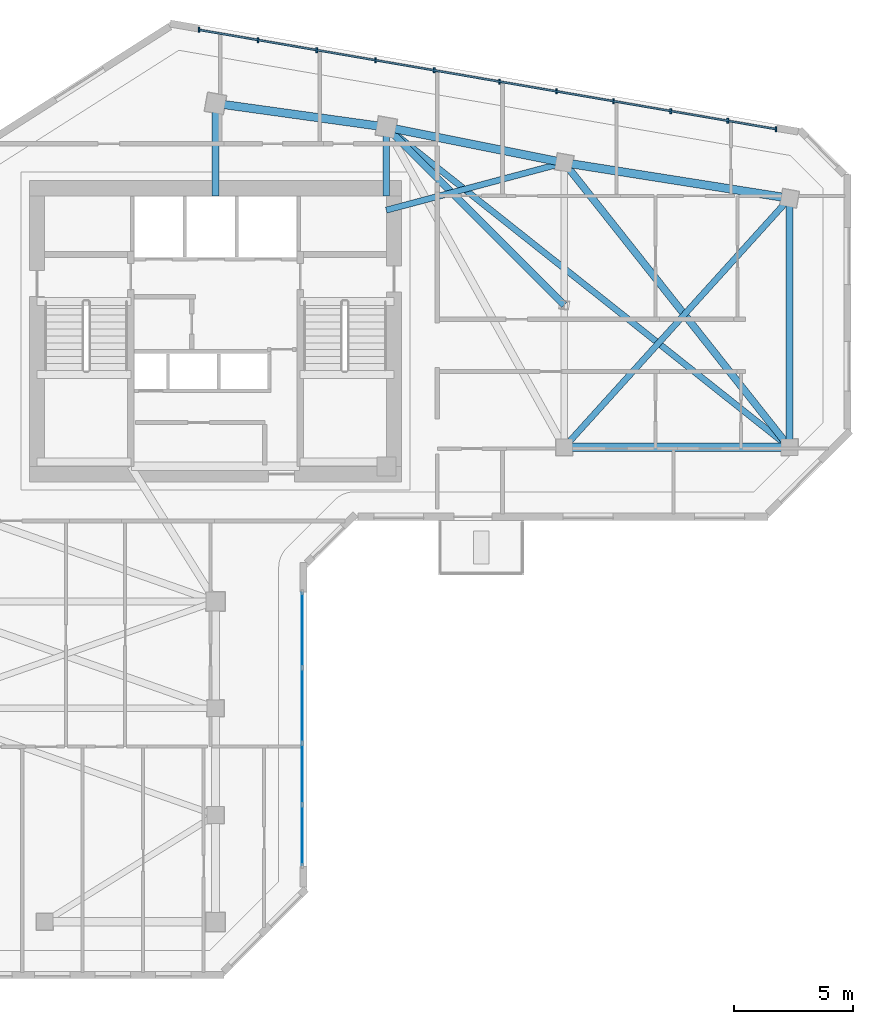
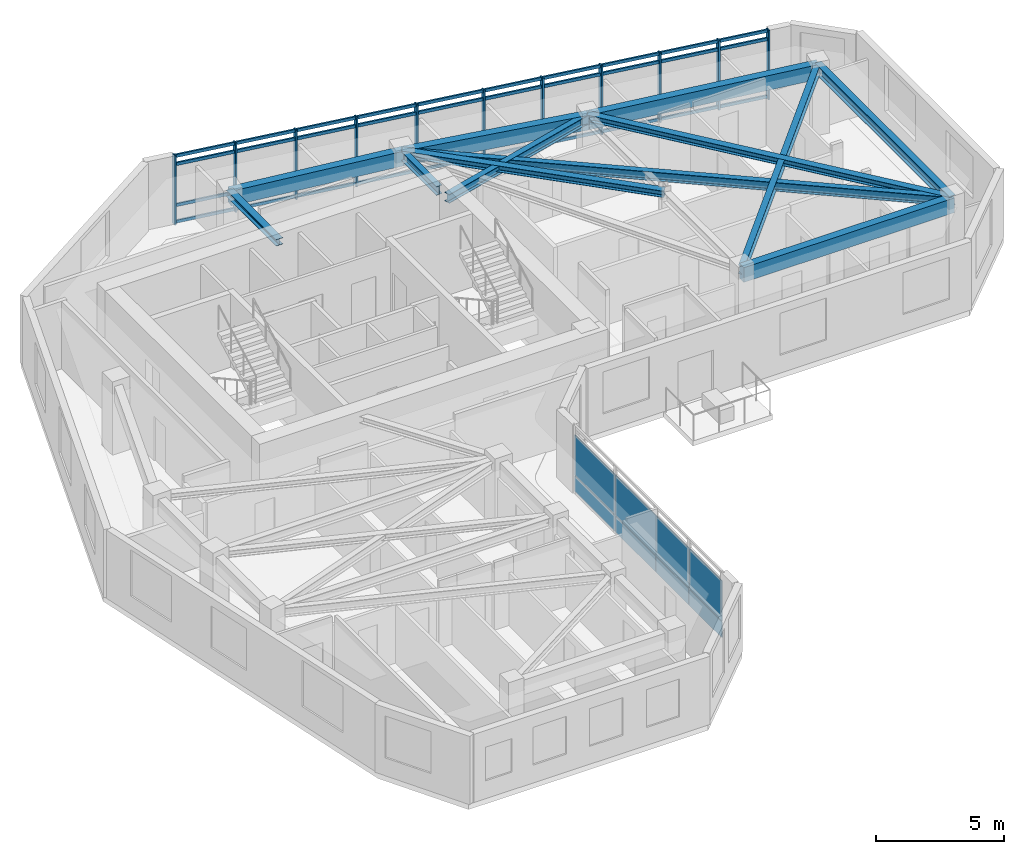
# One storey, part 3 of 11: 15 members, 12 beams, 8 plates, 2 elements without a shape of their own.
"""IFC4 building model written with IfcOpenShell, lengths in metres."""

from ifc_helpers import new_model, si_unit, direction, frame, frame_2d, origin, origin_2d, place, context, subcontext, project, spatial, rectangle, i_section, extrude, source, transform, mapped, material, layer, layer_set, material_profile, profile_set, type_object, element, aggregate, save


model = new_model("IFC4")

# Units and contexts
model_context = context("Model", 3, precision=1e-05, world=origin(), true_north=direction((0.0, 1.0)))
body_context = subcontext(model_context, "Body", "Model", "MODEL_VIEW")
ifc_project = project(units=[si_unit("LENGTHUNIT", "METRE"), si_unit("AREAUNIT", "SQUARE_METRE"), si_unit("VOLUMEUNIT", "CUBIC_METRE"), si_unit("PLANEANGLEUNIT", "RADIAN"), si_unit("MASSUNIT", "GRAM", prefix="KILO")], contexts=[model_context])

# Site, building, storey
site_placement = place(None, origin())
site = spatial("IfcSite", under=ifc_project, at=site_placement, CompositionType="ELEMENT")
building_placement = place(site_placement, origin())
building = spatial("IfcBuilding", under=site, at=building_placement, Name="Calvemar Wedge Station Tower", CompositionType="ELEMENT")
storey_placement = place(building_placement, frame((0.0, 0.0, 190.39990234375)))
storey = spatial("IfcBuildingStorey", under=building, at=storey_placement, Name="L47", CompositionType="ELEMENT", Elevation=190.39990234375)

# Beams
ifc_material_1 = material(Name="Structural steel ASTM A572 Grade 50", Category="steel")
ifc_material_profile_1 = material_profile(ifc_material_1, i_section(OverallWidth=0.260986328125, OverallDepth=0.419921875, WebThickness=0.01171875, FlangeThickness=0.019287109375, FilletRadius=0.012939453125, at=origin_2d()), Name="W410x114")
ifc_profile_set_1 = profile_set([ifc_material_profile_1], Name="Structural steel ASTM A572 Grade 50")
beam_type_1 = type_object("IfcBeamType", Name="BM-J2-W410H", PredefinedType="JOIST", material=ifc_profile_set_1)
shared_shape_1 = source(origin(), body_context, "Body", "SweptSolid", [
    extrude(i_section(OverallWidth=0.260986328125, OverallDepth=0.419921875, WebThickness=0.01171875, FlangeThickness=0.019287109375, FilletRadius=0.012939453125, at=origin_2d()), origin(), (0.0, 0.0, 1.0), 21.708251953125),
])
beam_1_placement = place(storey_placement, frame((31.0, 48.5, 3.0400390625), z_axis=(0.783110847498, -0.621882143602, 0.0), x_axis=(0.621882143602, 0.783110847498, 0.0)))
element("IfcBeam", 1, at=beam_1_placement, inside=storey, type_object=beam_type_1, Name="Storey L47 Floor Beam T-N2-T-NL3", PredefinedType="JOIST", context=body_context, shape_type="MappedRepresentation", body=[
    mapped(shared_shape_1, transform((0.0, 0.0, 0.0), scale=1.0)),
])
ifc_material_profile_2 = material_profile(ifc_material_1, i_section(OverallWidth=0.304931640625, OverallDepth=0.30810546875, WebThickness=0.010009765625, FlangeThickness=0.015380859375, FilletRadius=0.014892578125, at=origin_2d()), Name="W310x97")
ifc_profile_set_2 = profile_set([ifc_material_profile_2], Name="Structural steel ASTM A572 Grade 50")
beam_type_2 = type_object("IfcBeamType", Name="BM-J6-W310", PredefinedType="JOIST", material=ifc_profile_set_2)
shared_shape_2 = source(origin(), body_context, "Body", "SweptSolid", [
    extrude(i_section(OverallWidth=0.304931640625, OverallDepth=0.30810546875, WebThickness=0.010009765625, FlangeThickness=0.015380859375, FilletRadius=0.014892578125, at=origin_2d()), origin(), (0.0, 0.0, 1.0), 15.30517578125),
])
beam_2_placement = place(storey_placement, frame((38.5, 47.0, 3.09619140625), z_axis=(0.620702944366, -0.784045824462, 0.0), x_axis=(0.784045824462, 0.620702944366, 0.0)))
element("IfcBeam", 2, at=beam_2_placement, inside=storey, type_object=beam_type_2, Name="Storey L47 Floor Beam T-NU3-T-NL3", PredefinedType="JOIST", context=body_context, shape_type="MappedRepresentation", body=[
    mapped(shared_shape_2, transform((0.0, 0.0, 0.0), scale=1.0)),
])
shared_shape_3 = source(origin(), body_context, "Body", "SweptSolid", [
    extrude(i_section(OverallWidth=0.260986328125, OverallDepth=0.419921875, WebThickness=0.01171875, FlangeThickness=0.019287109375, FilletRadius=0.012939453125, at=origin_2d()), origin(), (0.0, 0.0, 1.0), 14.159912109375),
])
beam_3_placement = place(storey_placement, frame((38.5, 35.0, 3.0400390625), z_axis=(0.670913323969, 0.741535779124, 0.0), x_axis=(-0.741535779124, 0.670913323969, 0.0)))
element("IfcBeam", 3, at=beam_3_placement, inside=storey, type_object=beam_type_1, Name="Storey L47 Floor Beam T-NL2-T-NU4", PredefinedType="JOIST", context=body_context, shape_type="MappedRepresentation", body=[
    mapped(shared_shape_3, transform((0.0, 0.0, 0.0), scale=1.0)),
])
shared_shape_4 = source(origin(), body_context, "Body", "SweptSolid", [
    extrude(i_section(OverallWidth=0.260986328125, OverallDepth=0.419921875, WebThickness=0.01171875, FlangeThickness=0.019287109375, FilletRadius=0.012939453125, at=origin_2d()), origin(), (0.0, 0.0, 1.0), 7.76220703125),
])
beam_4_placement = place(storey_placement, frame((31.0, 45.0, 3.0400390625), z_axis=(0.966234939601, 0.25766265056, 0.0), x_axis=(-0.25766265056, 0.966234939601, 0.0)))
element("IfcBeam", 4, at=beam_4_placement, inside=storey, type_object=beam_type_1, Name="Storey L47 Core-to-Column Joist CJ-E2", PredefinedType="JOIST", context=body_context, shape_type="MappedRepresentation", body=[
    mapped(shared_shape_4, transform((0.0, 0.0, 0.0), scale=1.0)),
])
shared_shape_5 = source(origin(), body_context, "Body", "SweptSolid", [
    extrude(i_section(OverallWidth=0.304931640625, OverallDepth=0.30810546875, WebThickness=0.010009765625, FlangeThickness=0.015380859375, FilletRadius=0.014892578125, at=origin_2d()), origin(), (0.0, 0.0, 1.0), 3.89990234375),
])
beam_5_placement = place(storey_placement, frame((23.800048828125, 45.60009765625, 3.09619140625), z_axis=(0.0, 1.0, 0.0), x_axis=(-1.0, 0.0, 0.0)))
element("IfcBeam", 5, at=beam_5_placement, inside=storey, type_object=beam_type_2, Name="Storey L47 Core-to-Column Joist CJ-N1", PredefinedType="JOIST", context=body_context, shape_type="MappedRepresentation", body=[
    mapped(shared_shape_5, transform((0.0, 0.0, 0.0), scale=1.0)),
])
shared_shape_6 = source(origin(), body_context, "Body", "SweptSolid", [
    extrude(i_section(OverallWidth=0.260986328125, OverallDepth=0.419921875, WebThickness=0.01171875, FlangeThickness=0.019287109375, FilletRadius=0.012939453125, at=origin_2d()), origin(), (0.0, 0.0, 1.0), 2.89990234375),
])
beam_6_placement = place(storey_placement, frame((31.0, 45.60009765625, 3.0400390625), z_axis=(0.0, 1.0, 0.0), x_axis=(-1.0, 0.0, 0.0)))
element("IfcBeam", 6, at=beam_6_placement, inside=storey, type_object=beam_type_1, Name="Storey L47 Core-to-Column Joist CJ-N2", PredefinedType="JOIST", context=body_context, shape_type="MappedRepresentation", body=[
    mapped(shared_shape_6, transform((0.0, 0.0, 0.0), scale=1.0)),
])
shared_shape_7 = source(origin(), body_context, "Body", "SweptSolid", [
    extrude(i_section(OverallWidth=0.304931640625, OverallDepth=0.30810546875, WebThickness=0.010009765625, FlangeThickness=0.015380859375, FilletRadius=0.014892578125, at=origin_2d()), origin(), (0.0, 0.0, 1.0), 10.606689453125),
])
beam_7_placement = place(storey_placement, frame((38.5, 41.0, 3.09619140625), z_axis=(-0.707106781187, 0.707106781187, 0.0), x_axis=(-0.707106781187, -0.707106781187, 0.0)))
element("IfcBeam", 7, at=beam_7_placement, inside=storey, type_object=beam_type_2, Name="Storey L47 Floor Beam T-NTIP-B-T-N2", PredefinedType="JOIST", context=body_context, shape_type="MappedRepresentation", body=[
    mapped(shared_shape_7, transform((0.0, 0.0, 0.0), scale=1.0)),
])
ifc_material_2 = material(Name="Concrete C50", Category="concrete")
ifc_material_profile_3 = material_profile(ifc_material_2, rectangle(XDim=0.35009765625, YDim=0.699951171875, at=origin_2d()), Name="RC350x700")
ifc_profile_set_3 = profile_set([ifc_material_profile_3], Name="Concrete C50")
beam_type_3 = type_object("IfcBeamType", Name="BM-SP2-700", PredefinedType="SPANDREL", material=ifc_profile_set_3)
shared_shape_8 = source(origin(), body_context, "Body", "SweptSolid", [
    extrude(rectangle(XDim=0.35009765625, YDim=0.699951171875, at=origin_2d()), origin(), (0.0, 0.0, 1.0), 7.26904296875),
])
beam_8_placement = place(storey_placement, frame((23.800048828125, 49.5, 2.900146484375), z_axis=(0.990492146053, -0.13756928657, 0.0), x_axis=(0.13756928657, 0.990492146053, 0.0)))
element("IfcBeam", 8, at=beam_8_placement, inside=storey, type_object=beam_type_3, Name="Storey L47 Spandrel T-N1-T-N2", PredefinedType="SPANDREL", context=body_context, shape_type="MappedRepresentation", body=[
    mapped(shared_shape_8, transform((0.0, 0.0, 0.0), scale=1.0)),
])
shared_shape_9 = source(origin(), body_context, "Body", "SweptSolid", [
    extrude(rectangle(XDim=0.35009765625, YDim=0.699951171875, at=origin_2d()), origin(), (0.0, 0.0, 1.0), 7.6484375),
])
beam_9_placement = place(storey_placement, frame((31.0, 48.5, 2.900146484375), z_axis=(0.980580675691, -0.196116135138, 0.0), x_axis=(0.196116135138, 0.980580675691, 0.0)))
element("IfcBeam", 9, at=beam_9_placement, inside=storey, type_object=beam_type_3, Name="Storey L47 Spandrel T-N2-T-NU3", PredefinedType="SPANDREL", context=body_context, shape_type="MappedRepresentation", body=[
    mapped(shared_shape_9, transform((0.0, 0.0, 0.0), scale=1.0)),
])
shared_shape_10 = source(origin(), body_context, "Body", "SweptSolid", [
    extrude(rectangle(XDim=0.35009765625, YDim=0.699951171875, at=origin_2d()), origin(), (0.0, 0.0, 1.0), 9.61767578125),
])
beam_10_placement = place(storey_placement, frame((38.5, 47.0, 2.900146484375), z_axis=(0.987762965329, -0.155962573473, 0.0), x_axis=(0.155962573473, 0.987762965329, 0.0)))
element("IfcBeam", 10, at=beam_10_placement, inside=storey, type_object=beam_type_3, Name="Storey L47 Spandrel T-NU3-T-NU4", PredefinedType="SPANDREL", context=body_context, shape_type="MappedRepresentation", body=[
    mapped(shared_shape_10, transform((0.0, 0.0, 0.0), scale=1.0)),
])
shared_shape_11 = source(origin(), body_context, "Body", "SweptSolid", [
    extrude(rectangle(XDim=0.35009765625, YDim=0.699951171875, at=origin_2d()), origin(), (0.0, 0.0, 1.0), 9.5),
])
beam_11_placement = place(storey_placement, frame((38.5, 35.0, 2.900146484375), z_axis=(1.0, 0.0, 0.0), x_axis=(0.0, 1.0, 0.0)))
element("IfcBeam", 11, at=beam_11_placement, inside=storey, type_object=beam_type_3, Name="Storey L47 Spandrel T-NL2-T-NL3", PredefinedType="SPANDREL", context=body_context, shape_type="MappedRepresentation", body=[
    mapped(shared_shape_11, transform((0.0, 0.0, 0.0), scale=1.0)),
])
ifc_material_profile_4 = material_profile(ifc_material_1, i_section(OverallWidth=0.283935546875, OverallDepth=0.47607421875, WebThickness=0.014892578125, FlangeThickness=0.02392578125, FilletRadius=0.014892578125, at=origin_2d()), Name="W460x158")
ifc_profile_set_4 = profile_set([ifc_material_profile_4], Name="Structural steel ASTM A572 Grade 50")
beam_type_4 = type_object("IfcBeamType", Name="BM-SB5-W460H", PredefinedType="BEAM", material=ifc_profile_set_4)
shared_shape_12 = source(origin(), body_context, "Body", "SweptSolid", [
    extrude(i_section(OverallWidth=0.283935546875, OverallDepth=0.47607421875, WebThickness=0.014892578125, FlangeThickness=0.02392578125, FilletRadius=0.014892578125, at=origin_2d()), origin(), (0.0, 0.0, 1.0), 10.5),
])
beam_12_placement = place(storey_placement, frame((48.0, 45.5, 3.01220703125), z_axis=(0.0, -1.0, 0.0), x_axis=(1.0, 0.0, 0.0)))
element("IfcBeam", 12, at=beam_12_placement, inside=storey, type_object=beam_type_4, Name="Storey L47 Floor Beam T-NU4-T-NL3", PredefinedType="BEAM", context=body_context, shape_type="MappedRepresentation", body=[
    mapped(shared_shape_12, transform((0.0, 0.0, 0.0), scale=1.0)),
])

# Curtain wall, members
ifc_material_3 = material(Name="Anodised aluminium 6063-T6", Category="aluminium")
curtain_wall_type = type_object("IfcCurtainWallType", Name="CW3", PredefinedType="NOTDEFINED", material=ifc_material_3)
curtain_wall_1_placement = place(storey_placement, origin())
curtain_wall_1 = element("IfcCurtainWall", 13, at=curtain_wall_1_placement, inside=storey, type_object=curtain_wall_type, Name="Storey L47 CW3 Recessed Unitised Curtain Wall 10", PredefinedType="NOTDEFINED")
ifc_material_profile_5 = material_profile(ifc_material_3, rectangle(XDim=0.074951171875, YDim=0.2099609375, at=origin_2d()), Name="AL-MUL-75x210")
ifc_profile_set_5 = profile_set([ifc_material_profile_5], Name="Anodised aluminium 6063-T6")
member_type_1 = type_object("IfcMemberType", Name="CW3-MUL", PredefinedType="MULLION", material=ifc_profile_set_5)
shared_shape_13 = source(origin(), body_context, "Body", "SweptSolid", [
    extrude(rectangle(XDim=0.074951171875, YDim=0.2099609375, at=origin_2d()), origin(), (0.0, 0.0, 1.0), 3.2998046875),
])
member_1_placement = place(storey_placement, frame((47.433349609375, 48.41162109375, -0.0498046875), z_axis=(0.0, 0.0, 1.0), x_axis=(1.0, 0.0, 0.0)))
member_1 = element("IfcMember", 14, at=member_1_placement, type_object=member_type_1, Name="CW3 mullion 1", PredefinedType="MULLION", context=body_context, shape_type="MappedRepresentation", body=[
    mapped(shared_shape_13, transform((0.0, 0.0, 0.0), scale=1.0)),
])
member_2_placement = place(storey_placement, frame((45.394287109375, 48.762451171875, -0.0498046875), z_axis=(0.0, 0.0, 1.0), x_axis=(1.0, 0.0, 0.0)))
member_2 = element("IfcMember", 15, at=member_2_placement, type_object=member_type_1, Name="CW3 mullion 2", PredefinedType="MULLION", context=body_context, shape_type="MappedRepresentation", body=[
    mapped(shared_shape_13, transform((0.0, 0.0, 0.0), scale=1.0)),
])
member_3_placement = place(storey_placement, frame((42.98876953125, 49.17626953125, -0.0498046875), z_axis=(0.0, 0.0, 1.0), x_axis=(1.0, 0.0, 0.0)))
member_3 = element("IfcMember", 16, at=member_3_placement, type_object=member_type_1, Name="CW3 mullion 3", PredefinedType="MULLION", context=body_context, shape_type="MappedRepresentation", body=[
    mapped(shared_shape_13, transform((0.0, 0.0, 0.0), scale=1.0)),
])
member_4_placement = place(storey_placement, frame((40.583251953125, 49.590087890625, -0.0498046875), z_axis=(0.0, 0.0, 1.0), x_axis=(1.0, 0.0, 0.0)))
member_4 = element("IfcMember", 17, at=member_4_placement, type_object=member_type_1, Name="CW3 mullion 4", PredefinedType="MULLION", context=body_context, shape_type="MappedRepresentation", body=[
    mapped(shared_shape_13, transform((0.0, 0.0, 0.0), scale=1.0)),
])
member_5_placement = place(storey_placement, frame((38.177490234375, 50.00390625, -0.0498046875), z_axis=(0.0, 0.0, 1.0), x_axis=(1.0, 0.0, 0.0)))
member_5 = element("IfcMember", 18, at=member_5_placement, type_object=member_type_1, Name="CW3 mullion 5", PredefinedType="MULLION", context=body_context, shape_type="MappedRepresentation", body=[
    mapped(shared_shape_13, transform((0.0, 0.0, 0.0), scale=1.0)),
])
member_6_placement = place(storey_placement, frame((35.771240234375, 50.417724609375, -0.0498046875), z_axis=(0.0, 0.0, 1.0), x_axis=(1.0, 0.0, 0.0)))
member_6 = element("IfcMember", 19, at=member_6_placement, type_object=member_type_1, Name="CW3 mullion 6", PredefinedType="MULLION", context=body_context, shape_type="MappedRepresentation", body=[
    mapped(shared_shape_13, transform((0.0, 0.0, 0.0), scale=1.0)),
])
member_7_placement = place(storey_placement, frame((33.021240234375, 50.890869140625, -0.0498046875), z_axis=(0.0, 0.0, 1.0), x_axis=(1.0, 0.0, 0.0)))
member_7 = element("IfcMember", 20, at=member_7_placement, type_object=member_type_1, Name="CW3 mullion 7", PredefinedType="MULLION", context=body_context, shape_type="MappedRepresentation", body=[
    mapped(shared_shape_13, transform((0.0, 0.0, 0.0), scale=1.0)),
])
member_8_placement = place(storey_placement, frame((30.54638671875, 51.316650390625, -0.0498046875), z_axis=(0.0, 0.0, 1.0), x_axis=(1.0, 0.0, 0.0)))
member_8 = element("IfcMember", 21, at=member_8_placement, type_object=member_type_1, Name="CW3 mullion 8", PredefinedType="MULLION", context=body_context, shape_type="MappedRepresentation", body=[
    mapped(shared_shape_13, transform((0.0, 0.0, 0.0), scale=1.0)),
])
member_9_placement = place(storey_placement, frame((28.0712890625, 51.742431640625, -0.0498046875), z_axis=(0.0, 0.0, 1.0), x_axis=(1.0, 0.0, 0.0)))
member_9 = element("IfcMember", 22, at=member_9_placement, type_object=member_type_1, Name="CW3 mullion 9", PredefinedType="MULLION", context=body_context, shape_type="MappedRepresentation", body=[
    mapped(shared_shape_13, transform((0.0, 0.0, 0.0), scale=1.0)),
])
member_10_placement = place(storey_placement, frame((25.58837890625, 52.169677734375, -0.0498046875), z_axis=(0.0, 0.0, 1.0), x_axis=(1.0, 0.0, 0.0)))
member_10 = element("IfcMember", 23, at=member_10_placement, type_object=member_type_1, Name="CW3 mullion 10", PredefinedType="MULLION", context=body_context, shape_type="MappedRepresentation", body=[
    mapped(shared_shape_13, transform((0.0, 0.0, 0.0), scale=1.0)),
])
member_11_placement = place(storey_placement, frame((23.105712890625, 52.5966796875, -0.0498046875), z_axis=(0.0, 0.0, 1.0), x_axis=(1.0, 0.0, 0.0)))
member_11 = element("IfcMember", 24, at=member_11_placement, type_object=member_type_1, Name="CW3 mullion 11", PredefinedType="MULLION", context=body_context, shape_type="MappedRepresentation", body=[
    mapped(shared_shape_13, transform((0.0, 0.0, 0.0), scale=1.0)),
])
ifc_material_profile_6 = material_profile(ifc_material_3, rectangle(XDim=0.074951171875, YDim=0.14501953125, at=origin_2d()), Name="AL-TRN-75x145")
ifc_profile_set_6 = profile_set([ifc_material_profile_6], Name="Anodised aluminium 6063-T6")
member_type_2 = type_object("IfcMemberType", Name="CW3-TRN", PredefinedType="USERDEFINED", material=ifc_profile_set_6)
shared_shape_14 = source(origin(), body_context, "Body", "SweptSolid", [
    extrude(rectangle(XDim=0.074951171875, YDim=0.14501953125, at=origin_2d()), origin(), (0.0, 0.0, 1.0), 24.68505859375),
])
member_12_placement = place(storey_placement, frame((47.433349609375, 48.41162109375, 0.06005859375), z_axis=(-0.985523545507, 0.16953861286, 0.0), x_axis=(-0.16953861286, -0.985523545507, 0.0)))
member_12 = element("IfcMember", 25, at=member_12_placement, type_object=member_type_2, Name="CW3 transom 1", ObjectType="TRANSOM", PredefinedType="USERDEFINED", context=body_context, shape_type="MappedRepresentation", body=[
    mapped(shared_shape_14, transform((0.0, 0.0, 0.0), scale=1.0)),
])
member_13_placement = place(storey_placement, frame((47.433349609375, 48.41162109375, 0.85009765625), z_axis=(-0.985523545507, 0.16953861286, 0.0), x_axis=(-0.16953861286, -0.985523545507, 0.0)))
member_13 = element("IfcMember", 26, at=member_13_placement, type_object=member_type_2, Name="CW3 transom 2", ObjectType="TRANSOM", PredefinedType="USERDEFINED", context=body_context, shape_type="MappedRepresentation", body=[
    mapped(shared_shape_14, transform((0.0, 0.0, 0.0), scale=1.0)),
])
member_14_placement = place(storey_placement, frame((47.433349609375, 48.41162109375, 2.800048828125), z_axis=(-0.985523545507, 0.16953861286, 0.0), x_axis=(-0.16953861286, -0.985523545507, 0.0)))
member_14 = element("IfcMember", 27, at=member_14_placement, type_object=member_type_2, Name="CW3 transom 3", ObjectType="TRANSOM", PredefinedType="USERDEFINED", context=body_context, shape_type="MappedRepresentation", body=[
    mapped(shared_shape_14, transform((0.0, 0.0, 0.0), scale=1.0)),
])
member_15_placement = place(storey_placement, frame((47.433349609375, 48.41162109375, 3.190185546875), z_axis=(-0.985523545507, 0.16953861286, 0.0), x_axis=(-0.16953861286, -0.985523545507, 0.0)))
member_15 = element("IfcMember", 28, at=member_15_placement, type_object=member_type_2, Name="CW3 transom 4", ObjectType="TRANSOM", PredefinedType="USERDEFINED", context=body_context, shape_type="MappedRepresentation", body=[
    mapped(shared_shape_14, transform((0.0, 0.0, 0.0), scale=1.0)),
])
aggregate(curtain_wall_1, [member_1, member_2, member_3, member_4, member_5, member_6, member_7, member_8, member_9, member_10, member_11, member_12, member_13, member_14, member_15])

# Curtain wall, plates
curtain_wall_2_placement = place(storey_placement, origin())
curtain_wall_2 = element("IfcCurtainWall", 29, at=curtain_wall_2_placement, inside=storey, type_object=curtain_wall_type, Name="Storey L47 CW3 Recessed Unitised Curtain Wall 4", PredefinedType="NOTDEFINED")
ifc_material_4 = material(Name="Low-E laminated insulated glass", Category="glass")
ifc_layer_1 = layer(ifc_material_4, 0.028076171875)
ifc_layer_set_1 = layer_set([ifc_layer_1], Name="Low-E laminated insulated glass")
plate_type_1 = type_object("IfcPlateType", Name="CW3-GLZ", PredefinedType="CURTAIN_PANEL", material=ifc_layer_set_1)
plate_1_placement = place(storey_placement, frame((27.4541015625, 17.380126953125, 0.8701171875), z_axis=(0.0, 0.0, 1.0), x_axis=(0.0, 1.0, 0.0)))
plate_1 = element("IfcPlate", 30, at=plate_1_placement, type_object=plate_type_1, Name="CW3 vision glass panel 1", PredefinedType="CURTAIN_PANEL", context=body_context, shape_type="SweptSolid", body=[
    extrude(rectangle(XDim=2.54443359375, YDim=0.028076171875, at=frame_2d((1.272216796875, 0.0))), origin(), (0.0, 0.0, 1.0), 1.909912109375),
])
plate_2_placement = place(storey_placement, frame((27.4541015625, 19.96044921875, 0.8701171875), z_axis=(0.0, 0.0, 1.0), x_axis=(0.0, 1.0, 0.0)))
plate_2 = element("IfcPlate", 31, at=plate_2_placement, type_object=plate_type_1, Name="CW3 vision glass panel 2", PredefinedType="CURTAIN_PANEL", context=body_context, shape_type="SweptSolid", body=[
    extrude(rectangle(XDim=2.54443359375, YDim=0.028076171875, at=frame_2d((1.272216796875, 0.0))), origin(), (0.0, 0.0, 1.0), 1.909912109375),
])
plate_3_placement = place(storey_placement, frame((27.4541015625, 22.541015625, 0.8701171875), z_axis=(0.0, 0.0, 1.0), x_axis=(0.0, 1.0, 0.0)))
plate_3 = element("IfcPlate", 32, at=plate_3_placement, type_object=plate_type_1, Name="CW3 vision glass panel 3", PredefinedType="CURTAIN_PANEL", context=body_context, shape_type="SweptSolid", body=[
    extrude(rectangle(XDim=3.1455078125, YDim=0.028076171875, at=frame_2d((1.57275390625, 0.0))), origin(), (0.0, 0.0, 1.0), 1.909912109375),
])
plate_4_placement = place(storey_placement, frame((27.4541015625, 25.722412109375, 0.8701171875), z_axis=(0.0, 0.0, 1.0), x_axis=(0.0, 1.0, 0.0)))
plate_4 = element("IfcPlate", 33, at=plate_4_placement, type_object=plate_type_1, Name="CW3 vision glass panel 4", PredefinedType="CURTAIN_PANEL", context=body_context, shape_type="SweptSolid", body=[
    extrude(rectangle(XDim=3.145751953125, YDim=0.028076171875, at=frame_2d((1.57275390625, 0.0))), origin(), (0.0, 0.0, 1.0), 1.909912109375),
])
ifc_material_5 = material(Name="Oxidized bronze aluminium spandrel panel 5005-H24", Category="aluminium")
ifc_layer_2 = layer(ifc_material_5, 0.0400390625)
ifc_layer_set_2 = layer_set([ifc_layer_2], Name="Oxidized bronze aluminium spandrel panel 5005-H24")
plate_type_2 = type_object("IfcPlateType", Name="CW3-SPD", PredefinedType="SHEET", material=ifc_layer_set_2)
plate_5_placement = place(storey_placement, frame((27.4541015625, 17.380126953125, 0.080078125), z_axis=(0.0, 0.0, 1.0), x_axis=(0.0, 1.0, 0.0)))
plate_5 = element("IfcPlate", 34, at=plate_5_placement, type_object=plate_type_2, Name="CW3 bronze spandrel panel 1", PredefinedType="SHEET", context=body_context, shape_type="SweptSolid", body=[
    extrude(rectangle(XDim=2.54443359375, YDim=0.0400390625, at=frame_2d((1.272216796875, 0.0))), origin(), (0.0, 0.0, 1.0), 0.75),
])
plate_6_placement = place(storey_placement, frame((27.4541015625, 19.96044921875, 0.080078125), z_axis=(0.0, 0.0, 1.0), x_axis=(0.0, 1.0, 0.0)))
plate_6 = element("IfcPlate", 35, at=plate_6_placement, type_object=plate_type_2, Name="CW3 bronze spandrel panel 2", PredefinedType="SHEET", context=body_context, shape_type="SweptSolid", body=[
    extrude(rectangle(XDim=2.54443359375, YDim=0.0400390625, at=frame_2d((1.272216796875, 0.0))), origin(), (0.0, 0.0, 1.0), 0.75),
])
plate_7_placement = place(storey_placement, frame((27.4541015625, 22.541015625, 0.080078125), z_axis=(0.0, 0.0, 1.0), x_axis=(0.0, 1.0, 0.0)))
plate_7 = element("IfcPlate", 36, at=plate_7_placement, type_object=plate_type_2, Name="CW3 bronze spandrel panel 3", PredefinedType="SHEET", context=body_context, shape_type="SweptSolid", body=[
    extrude(rectangle(XDim=3.1455078125, YDim=0.0400390625, at=frame_2d((1.57275390625, 0.0))), origin(), (0.0, 0.0, 1.0), 0.75),
])
plate_8_placement = place(storey_placement, frame((27.4541015625, 25.722412109375, 0.080078125), z_axis=(0.0, 0.0, 1.0), x_axis=(0.0, 1.0, 0.0)))
plate_8 = element("IfcPlate", 37, at=plate_8_placement, type_object=plate_type_2, Name="CW3 bronze spandrel panel 4", PredefinedType="SHEET", context=body_context, shape_type="SweptSolid", body=[
    extrude(rectangle(XDim=3.145751953125, YDim=0.0400390625, at=frame_2d((1.57275390625, 0.0))), origin(), (0.0, 0.0, 1.0), 0.75),
])
aggregate(curtain_wall_2, [plate_5, plate_1, plate_6, plate_2, plate_7, plate_3, plate_8, plate_4])

save(model, "model.ifc")
